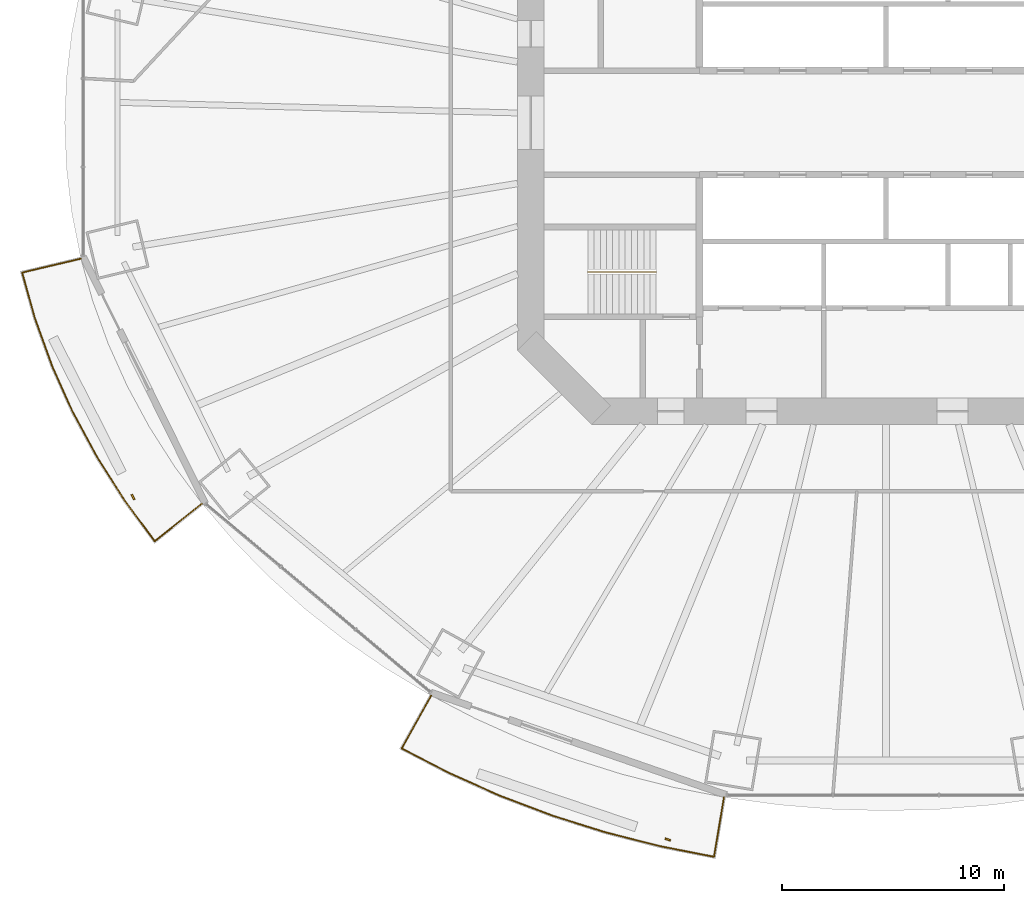
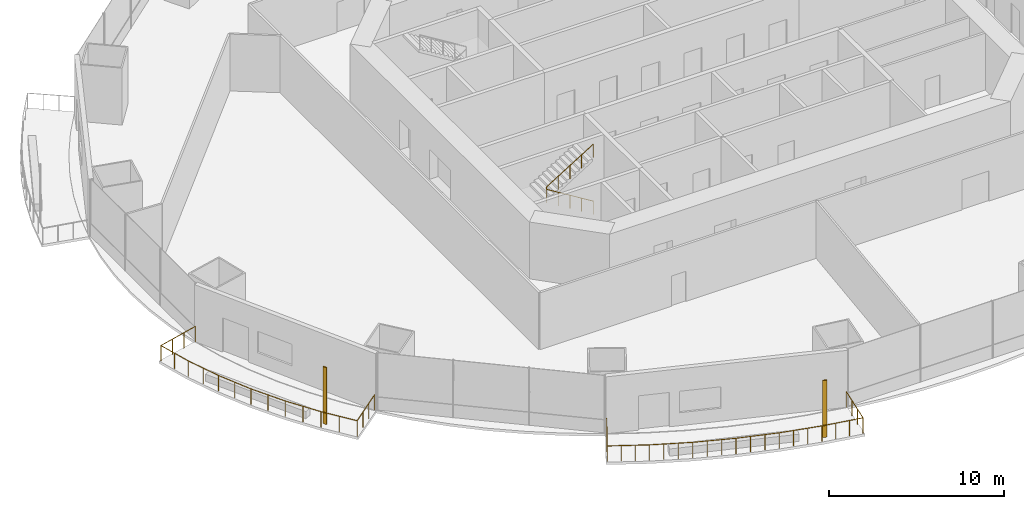
# One storey, part 18 of 23: 3 railings, 2 shading devices.
"""IFC4 building model written with IfcOpenShell, lengths in metres."""

from ifc_helpers import new_model, si_unit, direction, frame, origin, origin_2d, place, context, subcontext, project, spatial, rectangle, circle, extrude, material, material_profile, profile_set, type_object, element, save


model = new_model("IFC4")

# Units and contexts
model_context = context("Model", 3, precision=1e-05, world=origin(), true_north=direction((0.0, 1.0)))
body_context = subcontext(model_context, "Body", "Model", "MODEL_VIEW")
ifc_project = project(units=[si_unit("LENGTHUNIT", "METRE"), si_unit("AREAUNIT", "SQUARE_METRE"), si_unit("VOLUMEUNIT", "CUBIC_METRE"), si_unit("PLANEANGLEUNIT", "RADIAN"), si_unit("MASSUNIT", "GRAM", prefix="KILO")], contexts=[model_context])

# Site, building, storey
site_placement = place(None, origin())
site = spatial("IfcSite", under=ifc_project, at=site_placement, CompositionType="ELEMENT")
building_placement = place(site_placement, origin())
building = spatial("IfcBuilding", under=site, at=building_placement, Name="Marenthal Gate Tower", CompositionType="ELEMENT")
storey_placement = place(building_placement, frame((0.0, 0.0, 37.14990234375)))
storey = spatial("IfcBuildingStorey", under=building, at=storey_placement, Name="L05", CompositionType="ELEMENT", Elevation=37.14990234375)

# Railings
ifc_material_1 = material(Name="Stainless steel", Category="steel")
railing_type_1 = type_object("IfcRailingType", Name="Balcony guard 1100", PredefinedType="GUARDRAIL", material=ifc_material_1)
railing_1_placement = place(storey_placement, frame((-30.814208984375, -17.16015625, 0.0)))
element("IfcRailing", 1, at=railing_1_placement, inside=storey, type_object=railing_type_1, Name="Balcony guard L05 bay 9", PredefinedType="GUARDRAIL", context=body_context, shape_type="SweptSolid", body=[
    extrude(circle(Radius=0.02392578125, at=origin_2d()), frame((0.0, 0.0, 1.076171875), z_axis=(-0.781983380654, -0.623127580842, -0.014629093429), x_axis=(0.62319426943, -0.782067070365, 0.0)), (0.0, 0.0, 1.0), 2.72021484375),
    extrude(circle(Radius=0.02392578125, at=origin_2d()), frame((-2.127197265625, -1.695068359375, 1.0361328125), z_axis=(-0.59494792191, 0.803764250396, 0.0), x_axis=(-0.803764250396, -0.59494792191, 0.0)), (0.0, 0.0, 1.0), 2.25537109375),
    extrude(circle(Radius=0.02392578125, at=origin_2d()), frame((-3.468994140625, 0.11767578125, 1.0361328125), z_axis=(-0.537802777327, 0.843070680726, 0.0), x_axis=(-0.843070680726, -0.537802777327, 0.0)), (0.0, 0.0, 1.0), 2.316162109375),
    extrude(circle(Radius=0.02392578125, at=origin_2d()), frame((-4.714599609375, 2.0703125, 1.0361328125), z_axis=(-0.47570140033, 0.879606831331, 0.0), x_axis=(-0.879606831331, -0.47570140033, 0.0)), (0.0, 0.0, 1.0), 2.298828125),
    extrude(circle(Radius=0.02392578125, at=origin_2d()), frame((-5.80810546875, 4.09228515625, 1.0361328125), z_axis=(-0.40965760042, 0.912239360266, 0.0), x_axis=(-0.912239360266, -0.40965760042, 0.0)), (0.0, 0.0, 1.0), 2.283203125),
    extrude(circle(Radius=0.02392578125, at=origin_2d()), frame((-6.743408203125, 6.175048828125, 1.0361328125), z_axis=(-0.340490278663, 0.940248036497, 0.0), x_axis=(-0.940248036497, -0.340490278663, 0.0)), (0.0, 0.0, 1.0), 2.269287109375),
    extrude(circle(Radius=0.02392578125, at=origin_2d()), frame((-7.51611328125, 8.308837890625, 1.0361328125), z_axis=(-0.269417915844, 0.963023357257, 0.0), x_axis=(-0.963023357257, -0.269417915844, 0.0)), (0.0, 0.0, 1.0), 2.178466796875),
    extrude(circle(Radius=0.02392578125, at=origin_2d()), frame((-8.10302734375, 10.40673828125, 1.0361328125), z_axis=(0.972907805034, 0.230730187874, 0.014628168271), x_axis=(-0.230754878041, 0.973011914758, 0.0)), (0.0, 0.0, 1.0), 2.720458984375),
    extrude(circle(Radius=0.02099609375, at=origin_2d()), origin(), (0.0, 0.0, 1.0), 1.052001953125),
    extrude(circle(Radius=0.02099609375, at=origin_2d()), frame((-0.708984375, -0.56494140625, -0.01318359375)), (0.0, 0.0, 1.0), 1.052001953125),
    extrude(circle(Radius=0.02099609375, at=origin_2d()), frame((-1.418212890625, -1.130126953125, -0.026611328125)), (0.0, 0.0, 1.0), 1.052001953125),
    extrude(circle(Radius=0.02099609375, at=origin_2d()), frame((-2.127197265625, -1.695068359375, -0.039794921875)), (0.0, 0.0, 1.0), 1.052001953125),
    extrude(circle(Radius=0.02099609375, at=origin_2d()), frame((-2.798095703125, -0.78857421875, -0.039794921875)), (0.0, 0.0, 1.0), 1.052001953125),
    extrude(circle(Radius=0.02099609375, at=origin_2d()), frame((-3.468994140625, 0.11767578125, -0.039794921875)), (0.0, 0.0, 1.0), 1.052001953125),
    extrude(circle(Radius=0.02099609375, at=origin_2d()), frame((-4.091796875, 1.093994140625, -0.039794921875)), (0.0, 0.0, 1.0), 1.052001953125),
    extrude(circle(Radius=0.02099609375, at=origin_2d()), frame((-4.714599609375, 2.0703125, -0.039794921875)), (0.0, 0.0, 1.0), 1.052001953125),
    extrude(circle(Radius=0.02099609375, at=origin_2d()), frame((-5.26123046875, 3.081298828125, -0.039794921875)), (0.0, 0.0, 1.0), 1.052001953125),
    extrude(circle(Radius=0.02099609375, at=origin_2d()), frame((-5.80810546875, 4.09228515625, -0.039794921875)), (0.0, 0.0, 1.0), 1.052001953125),
    extrude(circle(Radius=0.02099609375, at=origin_2d()), frame((-6.27587890625, 5.1337890625, -0.039794921875)), (0.0, 0.0, 1.0), 1.052001953125),
    extrude(circle(Radius=0.02099609375, at=origin_2d()), frame((-6.743408203125, 6.175048828125, -0.039794921875)), (0.0, 0.0, 1.0), 1.052001953125),
    extrude(circle(Radius=0.02099609375, at=origin_2d()), frame((-7.1298828125, 7.241943359375, -0.039794921875)), (0.0, 0.0, 1.0), 1.052001953125),
    extrude(circle(Radius=0.02099609375, at=origin_2d()), frame((-7.51611328125, 8.308837890625, -0.039794921875)), (0.0, 0.0, 1.0), 1.052001953125),
    extrude(circle(Radius=0.02099609375, at=origin_2d()), frame((-7.8095703125, 9.35791015625, -0.039794921875)), (0.0, 0.0, 1.0), 1.052001953125),
    extrude(circle(Radius=0.02099609375, at=origin_2d()), frame((-8.10302734375, 10.40673828125, -0.039794921875)), (0.0, 0.0, 1.0), 1.052001953125),
    extrude(circle(Radius=0.02099609375, at=origin_2d()), frame((-7.220703125, 10.615966796875, -0.026611328125)), (0.0, 0.0, 1.0), 1.052001953125),
    extrude(circle(Radius=0.02099609375, at=origin_2d()), frame((-6.338623046875, 10.8251953125, -0.01318359375)), (0.0, 0.0, 1.0), 1.052001953125),
    extrude(circle(Radius=0.02099609375, at=origin_2d()), frame((-5.456298828125, 11.034423828125, 0.0)), (0.0, 0.0, 1.0), 1.052001953125),
])
railing_2_placement = place(storey_placement, frame((-7.297119140625, -30.39111328125, 0.0)))
element("IfcRailing", 2, at=railing_2_placement, inside=storey, type_object=railing_type_1, Name="Balcony guard L05 bay 11", PredefinedType="GUARDRAIL", context=body_context, shape_type="SweptSolid", body=[
    extrude(circle(Radius=0.02392578125, at=origin_2d()), frame((0.0, 0.0, 1.076171875), z_axis=(-0.164512379847, -0.986266525987, -0.014629306009), x_axis=(0.986372081632, -0.164529986862, 0.0)), (0.0, 0.0, 1.0), 2.72021484375),
    extrude(circle(Radius=0.02392578125, at=origin_2d()), frame((-0.447509765625, -2.682861328125, 1.0361328125), z_axis=(-0.981295113893, 0.192509478854, 0.0), x_axis=(-0.192509478854, -0.981295113893, 0.0)), (0.0, 0.0, 1.0), 2.474365234375),
    extrude(circle(Radius=0.02392578125, at=origin_2d()), frame((-2.87548828125, -2.20654296875, 1.0361328125), z_axis=(-0.969175134663, 0.246372803593, 0.0), x_axis=(-0.246372803593, -0.969175134663, 0.0)), (0.0, 0.0, 1.0), 2.543701171875),
    extrude(circle(Radius=0.02392578125, at=origin_2d()), frame((-5.3408203125, -1.579833984375, 1.0361328125), z_axis=(-0.953699220219, 0.300762027778, 0.0), x_axis=(-0.300762027778, -0.953699220219, 0.0)), (0.0, 0.0, 1.0), 2.531005859375),
    extrude(circle(Radius=0.02392578125, at=origin_2d()), frame((-7.754638671875, -0.818603515625, 1.0361328125), z_axis=(-0.934889862007, 0.354937946572, 0.0), x_axis=(-0.354937946572, -0.934889862007, 0.0)), (0.0, 0.0, 1.0), 2.51611328125),
    extrude(circle(Radius=0.02392578125, at=origin_2d()), frame((-10.10693359375, 0.074462890625, 1.0361328125), z_axis=(-0.912627469977, 0.4087922468, 0.0), x_axis=(-0.4087922468, -0.912627469977, 0.0)), (0.0, 0.0, 1.0), 2.499267578125),
    extrude(circle(Radius=0.02392578125, at=origin_2d()), frame((-12.387939453125, 1.09619140625, 1.0361328125), z_axis=(-0.887343289023, 0.461109409387, 0.0), x_axis=(-0.461109409387, -0.887343289023, 0.0)), (0.0, 0.0, 1.0), 2.401123046875),
    extrude(circle(Radius=0.02392578125, at=origin_2d()), frame((-14.5185546875, 2.203369140625, 1.0361328125), z_axis=(0.488674059156, 0.872343775022, 0.014628810219), x_axis=(-0.872437131701, 0.488726356184, 0.0)), (0.0, 0.0, 1.0), 2.72021484375),
    extrude(circle(Radius=0.02099609375, at=origin_2d()), origin(), (0.0, 0.0, 1.0), 1.052001953125),
    extrude(circle(Radius=0.02099609375, at=origin_2d()), frame((-0.149169921875, -0.894287109375, -0.01318359375)), (0.0, 0.0, 1.0), 1.052001953125),
    extrude(circle(Radius=0.02099609375, at=origin_2d()), frame((-0.29833984375, -1.78857421875, -0.026611328125)), (0.0, 0.0, 1.0), 1.052001953125),
    extrude(circle(Radius=0.02099609375, at=origin_2d()), frame((-0.447509765625, -2.682861328125, -0.039794921875)), (0.0, 0.0, 1.0), 1.052001953125),
    extrude(circle(Radius=0.02099609375, at=origin_2d()), frame((-1.2568359375, -2.524169921875, -0.039794921875)), (0.0, 0.0, 1.0), 1.052001953125),
    extrude(circle(Radius=0.02099609375, at=origin_2d()), frame((-2.066162109375, -2.365234375, -0.039794921875)), (0.0, 0.0, 1.0), 1.052001953125),
    extrude(circle(Radius=0.02099609375, at=origin_2d()), frame((-2.87548828125, -2.20654296875, -0.039794921875)), (0.0, 0.0, 1.0), 1.052001953125),
    extrude(circle(Radius=0.02099609375, at=origin_2d()), frame((-3.697265625, -1.99755859375, -0.039794921875)), (0.0, 0.0, 1.0), 1.052001953125),
    extrude(circle(Radius=0.02099609375, at=origin_2d()), frame((-4.51904296875, -1.788818359375, -0.039794921875)), (0.0, 0.0, 1.0), 1.052001953125),
    extrude(circle(Radius=0.02099609375, at=origin_2d()), frame((-5.3408203125, -1.579833984375, -0.039794921875)), (0.0, 0.0, 1.0), 1.052001953125),
    extrude(circle(Radius=0.02099609375, at=origin_2d()), frame((-6.1455078125, -1.326171875, -0.039794921875)), (0.0, 0.0, 1.0), 1.052001953125),
    extrude(circle(Radius=0.02099609375, at=origin_2d()), frame((-6.949951171875, -1.072265625, -0.039794921875)), (0.0, 0.0, 1.0), 1.052001953125),
    extrude(circle(Radius=0.02099609375, at=origin_2d()), frame((-7.754638671875, -0.818603515625, -0.039794921875)), (0.0, 0.0, 1.0), 1.052001953125),
    extrude(circle(Radius=0.02099609375, at=origin_2d()), frame((-8.538818359375, -0.52099609375, -0.039794921875)), (0.0, 0.0, 1.0), 1.052001953125),
    extrude(circle(Radius=0.02099609375, at=origin_2d()), frame((-9.32275390625, -0.22314453125, -0.039794921875)), (0.0, 0.0, 1.0), 1.052001953125),
    extrude(circle(Radius=0.02099609375, at=origin_2d()), frame((-10.10693359375, 0.074462890625, -0.039794921875)), (0.0, 0.0, 1.0), 1.052001953125),
    extrude(circle(Radius=0.02099609375, at=origin_2d()), frame((-10.8671875, 0.4150390625, -0.039794921875)), (0.0, 0.0, 1.0), 1.052001953125),
    extrude(circle(Radius=0.02099609375, at=origin_2d()), frame((-11.627685546875, 0.755615234375, -0.039794921875)), (0.0, 0.0, 1.0), 1.052001953125),
    extrude(circle(Radius=0.02099609375, at=origin_2d()), frame((-12.387939453125, 1.09619140625, -0.039794921875)), (0.0, 0.0, 1.0), 1.052001953125),
    extrude(circle(Radius=0.02099609375, at=origin_2d()), frame((-13.09814453125, 1.46533203125, -0.039794921875)), (0.0, 0.0, 1.0), 1.052001953125),
    extrude(circle(Radius=0.02099609375, at=origin_2d()), frame((-13.808349609375, 1.834228515625, -0.039794921875)), (0.0, 0.0, 1.0), 1.052001953125),
    extrude(circle(Radius=0.02099609375, at=origin_2d()), frame((-14.5185546875, 2.203369140625, -0.039794921875)), (0.0, 0.0, 1.0), 1.052001953125),
    extrude(circle(Radius=0.02099609375, at=origin_2d()), frame((-14.075439453125, 2.994384765625, -0.026611328125)), (0.0, 0.0, 1.0), 1.052001953125),
    extrude(circle(Radius=0.02099609375, at=origin_2d()), frame((-13.63232421875, 3.785400390625, -0.01318359375)), (0.0, 0.0, 1.0), 1.052001953125),
    extrude(circle(Radius=0.02099609375, at=origin_2d()), frame((-13.189208984375, 4.576416015625, 0.0)), (0.0, 0.0, 1.0), 1.052001953125),
])
ifc_material_2 = material(Name="Stainless steel", Category="steel")
railing_type_2 = type_object("IfcRailingType", Name="Stair handrail", PredefinedType="HANDRAIL", material=ifc_material_2)
railing_3_placement = place(storey_placement, frame((-10.35009765625, -6.72509765625, 0.173095703125)))
element("IfcRailing", 3, at=railing_3_placement, inside=storey, type_object=railing_type_2, Name="Handrail ST2", PredefinedType="HANDRAIL", context=body_context, shape_type="SweptSolid", body=[
    extrude(circle(Radius=0.0224609375, at=origin_2d()), frame((0.0, 0.0, 0.927490234375), z_axis=(-0.850816621229, 0.0, 0.525462726595), x_axis=(0.0, -1.0, 0.0)), (0.0, 0.0, 1.0), 3.619873046875),
    extrude(circle(Radius=0.0224609375, at=origin_2d()), frame((-3.079833984375, 0.0, 2.82958984375), z_axis=(0.0, 0.0, 1.0), x_axis=(1.0, 0.0, 0.0)), (0.0, 0.0, 1.0), 0.1728515625),
    extrude(circle(Radius=0.0224609375, at=origin_2d()), frame((-3.079833984375, 0.0, 3.00244140625), z_axis=(0.850816621229, 0.0, 0.525462726595), x_axis=(0.0, 1.0, 0.0)), (0.0, 0.0, 1.0), 3.619873046875),
    extrude(circle(Radius=0.02001953125, at=origin_2d()), origin(), (0.0, 0.0, 1.0), 0.905029296875),
    extrude(circle(Radius=0.02001953125, at=origin_2d()), frame((-0.77001953125, 0.0, 0.4755859375)), (0.0, 0.0, 1.0), 0.905029296875),
    extrude(circle(Radius=0.02001953125, at=origin_2d()), frame((-1.5400390625, 0.0, 0.951171875)), (0.0, 0.0, 1.0), 0.905029296875),
    extrude(circle(Radius=0.02001953125, at=origin_2d()), frame((-2.309814453125, 0.0, 1.426513671875)), (0.0, 0.0, 1.0), 0.905029296875),
    extrude(circle(Radius=0.02001953125, at=origin_2d()), frame((-3.079833984375, 0.0, 1.902099609375)), (0.0, 0.0, 1.0), 0.905029296875),
    extrude(circle(Radius=0.02001953125, at=origin_2d()), frame((-3.079833984375, 0.0, 2.074951171875)), (0.0, 0.0, 1.0), 0.905029296875),
    extrude(circle(Radius=0.02001953125, at=origin_2d()), frame((-2.309814453125, 0.0, 2.550537109375)), (0.0, 0.0, 1.0), 0.905029296875),
    extrude(circle(Radius=0.02001953125, at=origin_2d()), frame((-1.5400390625, 0.0, 3.02587890625)), (0.0, 0.0, 1.0), 0.905029296875),
    extrude(circle(Radius=0.02001953125, at=origin_2d()), frame((-0.77001953125, 0.0, 3.50146484375)), (0.0, 0.0, 1.0), 0.905029296875),
    extrude(circle(Radius=0.02001953125, at=origin_2d()), frame((0.0, 0.0, 3.97705078125)), (0.0, 0.0, 1.0), 0.905029296875),
])

# Shading devices
ifc_material_3 = material(Name="Terracotta", Category="masonry")
ifc_material_profile = material_profile(ifc_material_3, rectangle(XDim=0.25, YDim=0.080078125, at=origin_2d()), Name="Terracotta baguette 250x80")
ifc_profile_set = profile_set([ifc_material_profile], Name="Terracotta")
shading_device_type = type_object("IfcShadingDeviceType", Name="Terracotta BAGUETTE SCREEN 250x80", PredefinedType="USERDEFINED", material=ifc_profile_set)
for number, where, z_axis, x_axis, name in (
    (4, (-33.922119140625, -16.865234375, -0.039794921875), (0.0, 0.0, 1.0), (0.443119622411, -0.896462492374, 0.0), "Terracotta BAGUETTE L05 bay 9R"),
    (5, (-9.830078125, -32.298095703125, -0.039794921875), (0.0, 0.0, 1.0), (0.944708230663, -0.327912120725, 0.0), "Terracotta BAGUETTE L05 bay 11R"),
):
    element("IfcShadingDevice", number, at=place(storey_placement, frame(where, z_axis=z_axis, x_axis=x_axis)), inside=storey, type_object=shading_device_type, Name=name, ObjectType="BAGUETTE SCREEN", PredefinedType="USERDEFINED", context=body_context, shape_type="SweptSolid", body=[
        extrude(rectangle(XDim=0.25, YDim=0.080078125, at=origin_2d()), origin(), (0.0, 0.0, 1.0), 3.969970703125),
    ])

save(model, "model.ifc")
